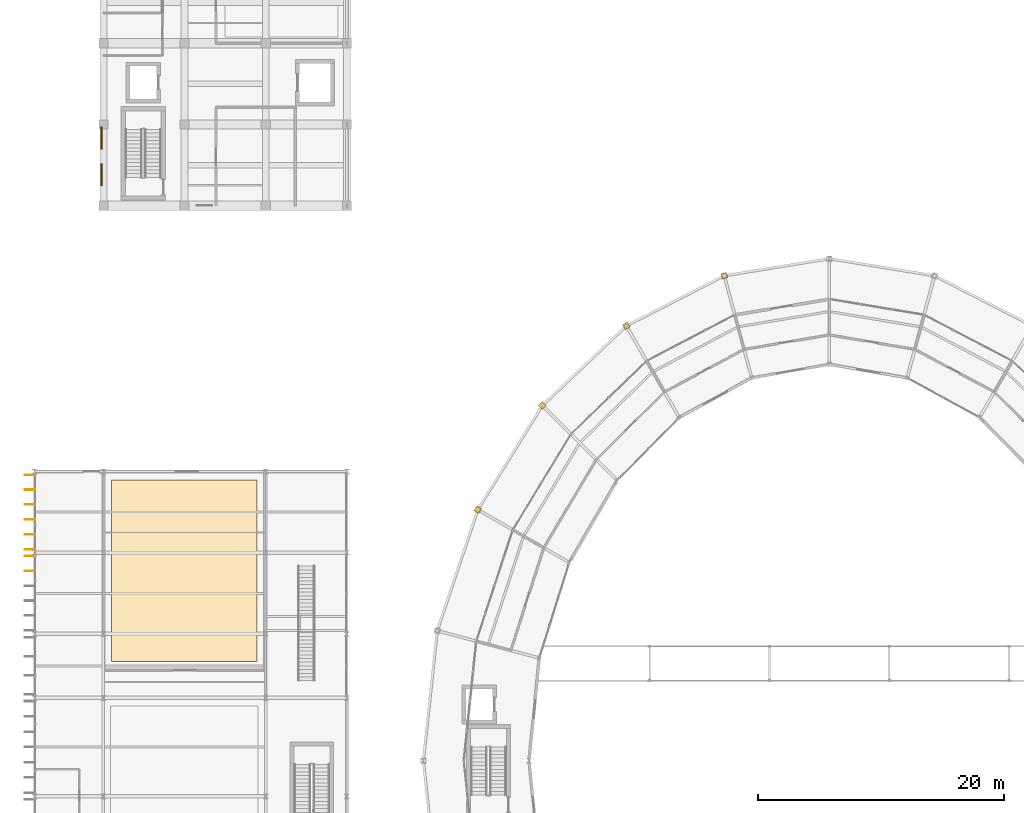
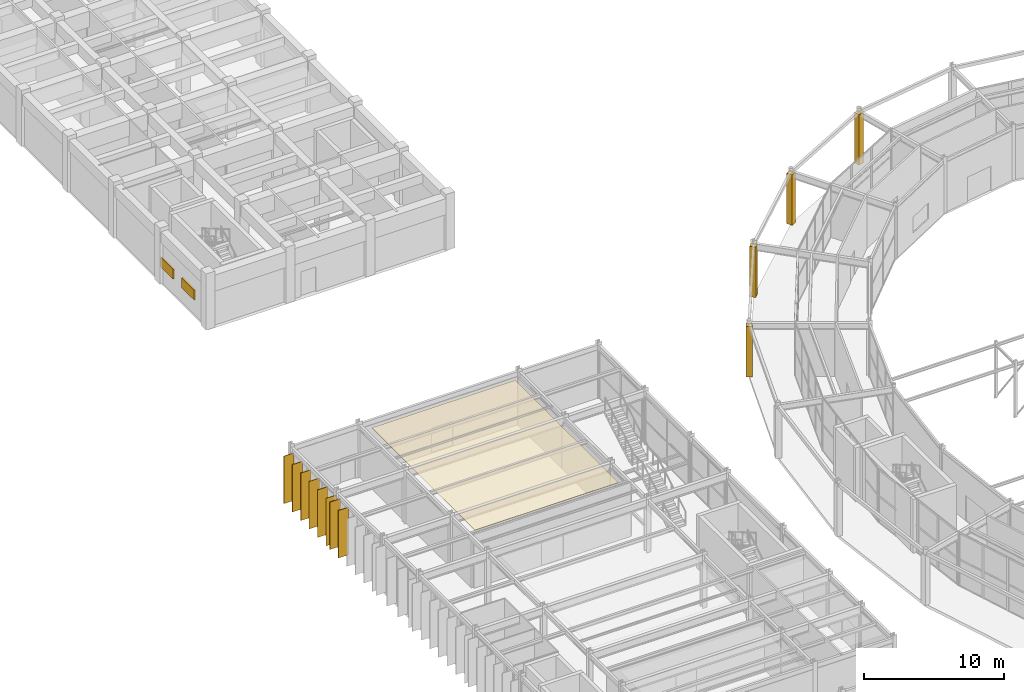
# One storey, part 140 of 144: 10 shading devices, 5 coverings.
"""IFC4 building model written with IfcOpenShell, lengths in metres."""

from ifc_helpers import new_model, si_unit, direction, frame, origin, origin_2d, place, context, subcontext, project, spatial, polyline, rectangle, outline, extrude, material, layer, layer_set, type_object, element, save


model = new_model("IFC4")

# Units and contexts
model_context = context("Model", 3, precision=1e-05, world=origin(), true_north=direction((0.0, 1.0)))
body_context = subcontext(model_context, "Body", "Model", "MODEL_VIEW")
ifc_project = project(units=[si_unit("LENGTHUNIT", "METRE"), si_unit("AREAUNIT", "SQUARE_METRE"), si_unit("VOLUMEUNIT", "CUBIC_METRE"), si_unit("PLANEANGLEUNIT", "RADIAN"), si_unit("MASSUNIT", "GRAM", prefix="KILO")], contexts=[model_context])

# Site, building, storey
site_placement = place(None, origin())
site = spatial("IfcSite", under=ifc_project, at=site_placement, CompositionType="ELEMENT")
building_placement = place(site_placement, origin())
building = spatial("IfcBuilding", under=site, at=building_placement, Name="Karori Crest Natural Sciences Institute", CompositionType="ELEMENT")
storey_placement = place(building_placement, origin())
storey = spatial("IfcBuildingStorey", under=building, at=storey_placement, Name="L00", CompositionType="ELEMENT", Elevation=0.0)

# Coverings
ifc_material_1 = material(Name="Acoustic mineral fibre ceiling tile")
ifc_layer_1 = layer(ifc_material_1, 0.02490234375, Name="Acoustic mineral fibre ceiling tile")
ifc_layer_set_1 = layer_set([ifc_layer_1], Name="Acoustic mineral fibre ceiling tile")
covering_type_1 = type_object("IfcCoveringType", Name="CVT-CEIL", PredefinedType="CEILING", material=ifc_layer_set_1)
covering_placement = place(storey_placement, frame((0.0, 0.0, 4.405029296875)))
element("IfcCovering", 1, at=covering_placement, inside=storey, type_object=covering_type_1, Name="Acoustic ceiling CLG-0045", PredefinedType="CEILING", context=body_context, shape_type="SweptSolid", body=[
    extrude(outline(polyline([(8.048583984375, 72.694580078125), (8.048583984375, 57.95556640625), (19.9013671875, 57.95556640625), (19.9013671875, 72.694580078125), (8.048583984375, 72.694580078125)])), origin(), (0.0, 0.0, 1.0), 0.02490234375),
])
ifc_material_2 = material(Name="Glulam GL10 architectural column casing", Category="wood")
ifc_layer_2 = layer(ifc_material_2, 0.044921875, Name="Glulam GL10 architectural column casing")
ifc_layer_set_2 = layer_set([ifc_layer_2], Name="Glulam GL10 architectural column casing")
covering_type_2 = type_object("IfcCoveringType", Name="CVT-GL10", PredefinedType="CLADDING", material=ifc_layer_set_2)
for number, where, z_axis, x_axis, name in (
    (2, (57.85888671875, 89.309814453125, 0.050048828125), (0.0, 0.0, 1.0), (-0.258819045103, 0.965925826289, 0.0), "Glulam GL10 column casing CL-0008"),
    (3, (49.89990234375, 85.23388671875, 0.050048828125), (0.0, 0.0, 1.0), (-0.5, 0.866025403784, 0.0), "Glulam GL10 column casing CL-0009"),
    (4, (43.0654296875, 78.75, 0.050048828125), (0.0, 0.0, 1.0), (-0.707106781187, 0.707106781187, 0.0), "Glulam GL10 column casing CL-0010"),
    (5, (37.8212890625, 70.300048828125, 0.050048828125), (0.0, 0.0, 1.0), (-0.866025403784, 0.5, 0.0), "Glulam GL10 column casing CL-0011"),
):
    element("IfcCovering", number, at=place(storey_placement, frame(where, z_axis=z_axis, x_axis=x_axis)), inside=storey, type_object=covering_type_2, Name=name, PredefinedType="CLADDING", context=body_context, shape_type="SweptSolid", body=[
        extrude(rectangle(XDim=0.4599609375, YDim=0.4599609375, at=origin_2d()), origin(), (0.0, 0.0, 1.0), 4.39990234375),
    ])

# Shading devices
ifc_material_3 = material(Name="Anodised architectural aluminium 6063-T6", Category="aluminium")
ifc_layer_3 = layer(ifc_material_3, 0.044921875, Name="Anodised architectural aluminium 6063-T6")
ifc_layer_set_3 = layer_set([ifc_layer_3], Name="Anodised architectural aluminium 6063-T6")
shading_device_type_1 = type_object("IfcShadingDeviceType", Name="SDT-FIN", PredefinedType="USERDEFINED", material=ifc_layer_set_3)
for number, where, z_axis, x_axis, name in (
    (6, (1.449951171875, 65.316162109375, 0.0), (0.0, 0.0, 1.0), (-1.0, 0.0, 0.0), "Vertical solar fin FN-1281"),
    (7, (1.449951171875, 66.527099609375, 0.0), (0.0, 0.0, 1.0), (-1.0, 0.0, 0.0), "Vertical solar fin FN-1282"),
    (8, (1.449951171875, 67.072998046875, 0.0), (0.0, 0.0, 1.0), (-1.0, 0.0, 0.0), "Vertical solar fin FN-1283"),
    (9, (1.449951171875, 68.28369140625, 0.0), (0.0, 0.0, 1.0), (-1.0, 0.0, 0.0), "Vertical solar fin FN-1284"),
    (10, (1.449951171875, 69.49462890625, 0.0), (0.0, 0.0, 1.0), (-1.0, 0.0, 0.0), "Vertical solar fin FN-1285"),
    (11, (1.449951171875, 70.705322265625, 0.0), (0.0, 0.0, 1.0), (-1.0, 0.0, 0.0), "Vertical solar fin FN-1286"),
    (12, (1.449951171875, 71.916259765625, 0.0), (0.0, 0.0, 1.0), (-1.0, 0.0, 0.0), "Vertical solar fin FN-1287"),
    (13, (1.449951171875, 73.126953125, 0.0), (0.0, 0.0, 1.0), (-1.0, 0.0, 0.0), "Vertical solar fin FN-1288"),
):
    element("IfcShadingDevice", number, at=place(storey_placement, frame(where, z_axis=z_axis, x_axis=x_axis)), inside=storey, type_object=shading_device_type_1, Name=name, ObjectType="SOLAR_FIN", PredefinedType="USERDEFINED", context=body_context, shape_type="SweptSolid", body=[
        extrude(rectangle(XDim=0.85009765625, YDim=0.044921875, at=origin_2d()), origin(), (0.0, 0.0, 1.0), 4.14501953125),
    ])
ifc_layer_4 = layer(ifc_material_3, 0.080078125, Name="Anodised architectural aluminium 6063-T6")
ifc_layer_set_4 = layer_set([ifc_layer_4], Name="Anodised architectural aluminium 6063-T6")
shading_device_type_2 = type_object("IfcShadingDeviceType", Name="SDT-LVR", PredefinedType="USERDEFINED", material=ifc_layer_set_4)
for number, where, z_axis, x_axis, name in (
    (14, (7.2451171875, 97.5, 1.375), (0.0, 0.0, 1.0), (1.0, 0.0, 0.0), "Acoustic weather louvre LV-0001"),
    (15, (7.2451171875, 100.5, 1.375), (0.0, 0.0, 1.0), (1.0, 0.0, 0.0), "Acoustic weather louvre LV-0002"),
):
    element("IfcShadingDevice", number, at=place(storey_placement, frame(where, z_axis=z_axis, x_axis=x_axis)), inside=storey, type_object=shading_device_type_2, Name=name, ObjectType="LOUVRE", PredefinedType="USERDEFINED", context=body_context, shape_type="SweptSolid", body=[
        extrude(rectangle(XDim=0.1201171875, YDim=1.800048828125, at=origin_2d()), origin(), (0.0, 0.0, 1.0), 0.85009765625),
    ])

save(model, "model.ifc")
